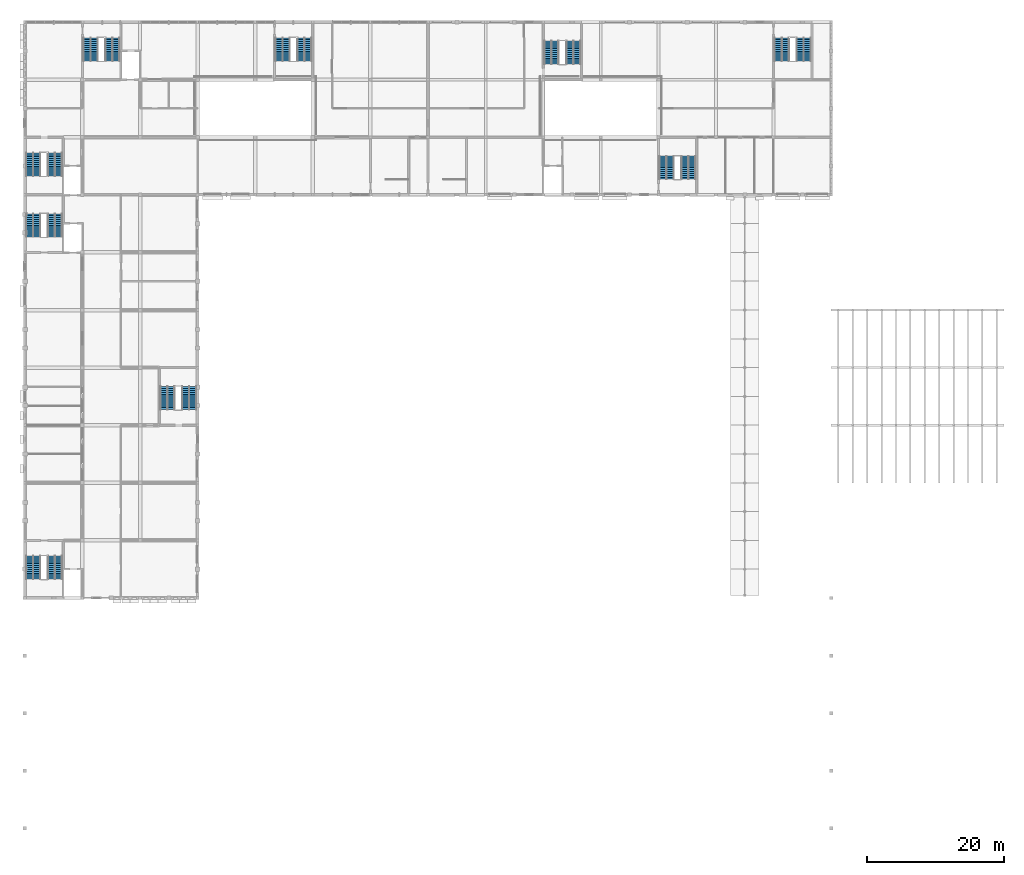
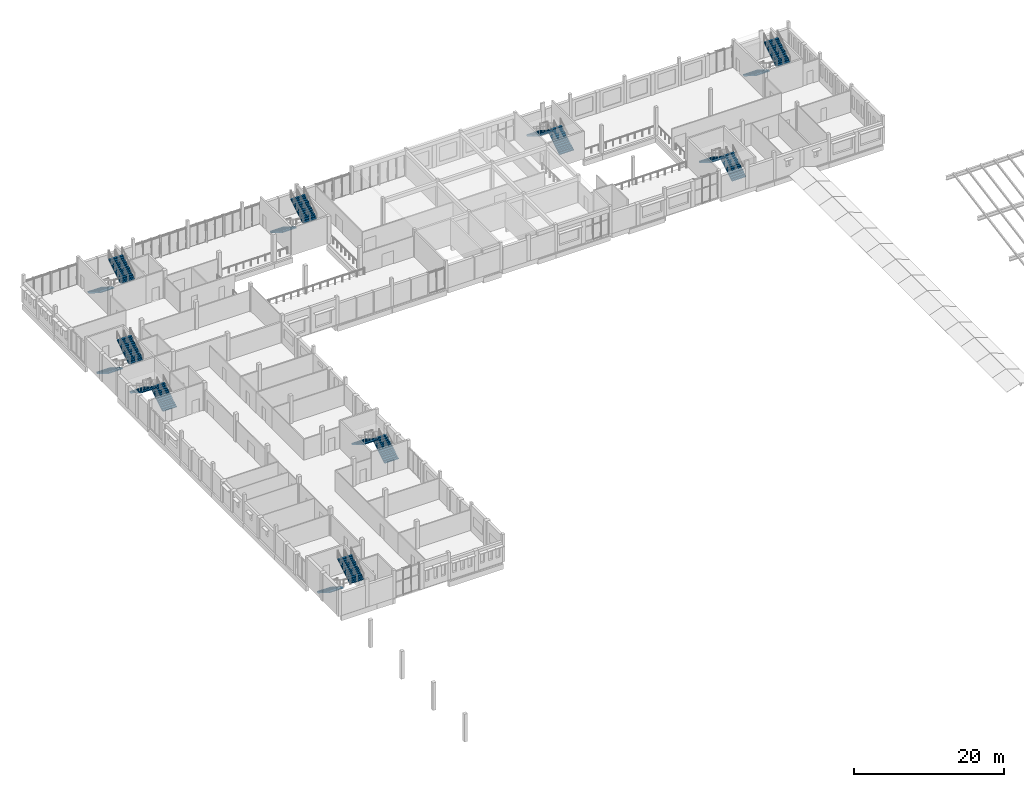
# One storey, part 32 of 38: 18 stair flights, 9 elements without a shape of their own.
"""IFC4 building model written with IfcOpenShell, lengths in metres."""

from ifc_helpers import new_model, si_unit, direction, frame, origin, place, context, subcontext, project, spatial, polyline, outline, extrude, material, type_object, element, aggregate, save


model = new_model("IFC4")

# Units and contexts
model_context = context("Model", 3, precision=1e-05, world=origin(), true_north=direction((0.0, 1.0)))
body_context = subcontext(model_context, "Body", "Model", "MODEL_VIEW")
ifc_project = project(units=[si_unit("LENGTHUNIT", "METRE"), si_unit("AREAUNIT", "SQUARE_METRE"), si_unit("VOLUMEUNIT", "CUBIC_METRE"), si_unit("PLANEANGLEUNIT", "RADIAN"), si_unit("MASSUNIT", "GRAM", prefix="KILO")], contexts=[model_context])

# Site, building, storey
site_placement = place(None, origin())
site = spatial("IfcSite", under=ifc_project, at=site_placement, CompositionType="ELEMENT")
building_placement = place(site_placement, origin())
building = spatial("IfcBuilding", under=site, at=building_placement, Name="Fescue Hill Polytechnic", CompositionType="ELEMENT")
storey_placement = place(building_placement, frame((0.0, 0.0, 18.0)))
storey = spatial("IfcBuildingStorey", under=building, at=storey_placement, Name="L04", CompositionType="ELEMENT", Elevation=18.0)

# Stair, stair flights
ifc_material = material(Name="Concrete 35 MPa", Category="concrete")
stair_type = type_object("IfcStairType", Name="Half-turn stair 2150 flights", PredefinedType="HALF_TURN_STAIR", material=ifc_material)
stair_1_placement = place(storey_placement, origin())
stair_1 = element("IfcStair", 1, at=stair_1_placement, inside=storey, type_object=stair_type, Name="L04 ST-V4-1 stair", PredefinedType="HALF_TURN_STAIR")
stair_flight_type = type_object("IfcStairFlightType", Name="Stair flight 2150 wide", PredefinedType="STRAIGHT", material=ifc_material)
stair_flight_1_placement = place(storey_placement, frame((1.22509765625, 56.52490234375, 0.0), z_axis=(0.0, 0.0, 1.0), x_axis=(0.0, -1.0, 0.0)))
stair_flight_1 = element("IfcStairFlight", 2, at=stair_flight_1_placement, type_object=stair_flight_type, Name="S15 flight 1", NumberOfRisers=13, NumberOfTreads=12, PredefinedType="STRAIGHT", RiserHeight=0.173076923, TreadLength=0.28, context=body_context, shape_type="SweptSolid", body=[
    extrude(outline(polyline([(0.0, 0.0), (0.0, 0.173095703125), (0.280029296875, 0.173095703125), (0.280029296875, 0.34619140625), (0.56005859375, 0.34619140625), (0.56005859375, 0.519287109375), (0.840087890625, 0.519287109375), (0.840087890625, 0.6923828125), (1.1201171875, 0.6923828125), (1.1201171875, 0.865478515625), (1.39990234375, 0.865478515625), (1.39990234375, 1.03857421875), (1.679931640625, 1.03857421875), (1.679931640625, 1.21142578125), (1.9599609375, 1.21142578125), (1.9599609375, 1.384521484375), (2.239990234375, 1.384521484375), (2.239990234375, 1.5576171875), (2.52001953125, 1.5576171875), (2.52001953125, 1.730712890625), (2.800048828125, 1.730712890625), (2.800048828125, 1.90380859375), (3.080078125, 1.90380859375), (3.080078125, 2.076904296875), (3.360107421875, 2.076904296875), (3.360107421875, 2.25), (3.360107421875, 1.900634765625), (0.28515625, 0.0), (0.0, 0.0)])), frame((0.0, 1.074951171875, 0.0), z_axis=(0.0, -1.0, 0.0), x_axis=(1.0, 0.0, 0.0)), (0.0, 0.0, 1.0), 2.14990234375),
])
stair_flight_2_placement = place(storey_placement, frame((4.39990234375, 53.1650390625, 2.25), z_axis=(0.0, 0.0, 1.0), x_axis=(0.0, 1.0, 0.0)))
stair_flight_2 = element("IfcStairFlight", 3, at=stair_flight_2_placement, type_object=stair_flight_type, Name="S15 flight 2", NumberOfRisers=13, NumberOfTreads=12, PredefinedType="STRAIGHT", RiserHeight=0.173076923, TreadLength=0.28, context=body_context, shape_type="SweptSolid", body=[
    extrude(outline(polyline([(0.0, 0.0), (0.0, 0.173095703125), (0.280029296875, 0.173095703125), (0.280029296875, 0.34619140625), (0.56005859375, 0.34619140625), (0.56005859375, 0.519287109375), (0.840087890625, 0.519287109375), (0.840087890625, 0.6923828125), (1.1201171875, 0.6923828125), (1.1201171875, 0.865478515625), (1.39990234375, 0.865478515625), (1.39990234375, 1.03857421875), (1.679931640625, 1.03857421875), (1.679931640625, 1.21142578125), (1.9599609375, 1.21142578125), (1.9599609375, 1.384521484375), (2.239990234375, 1.384521484375), (2.239990234375, 1.5576171875), (2.52001953125, 1.5576171875), (2.52001953125, 1.730712890625), (2.800048828125, 1.730712890625), (2.800048828125, 1.90380859375), (3.080078125, 1.90380859375), (3.080078125, 2.076904296875), (3.360107421875, 2.076904296875), (3.360107421875, 2.25), (3.360107421875, 1.900634765625), (0.28515625, 0.0), (0.0, 0.0)])), frame((0.0, 1.074951171875, 0.0), z_axis=(0.0, -1.0, 0.0), x_axis=(1.0, 0.0, 0.0)), (0.0, 0.0, 1.0), 2.14990234375),
])
aggregate(stair_1, [stair_flight_1, stair_flight_2])

stair_2_placement = place(storey_placement, origin())
stair_2 = element("IfcStair", 4, at=stair_2_placement, inside=storey, type_object=stair_type, Name="L04 ST-V4-2 stair", PredefinedType="HALF_TURN_STAIR")
stair_flight_3_placement = place(storey_placement, frame((4.39990234375, 103.074951171875, 0.0), z_axis=(0.0, 0.0, 1.0), x_axis=(0.0, 1.0, 0.0)))
stair_flight_3 = element("IfcStairFlight", 5, at=stair_flight_3_placement, type_object=stair_flight_type, Name="S16 flight 1", NumberOfRisers=13, NumberOfTreads=12, PredefinedType="STRAIGHT", RiserHeight=0.173076923, TreadLength=0.28, context=body_context, shape_type="SweptSolid", body=[
    extrude(outline(polyline([(0.0, 0.0), (0.0, 0.173095703125), (0.280029296875, 0.173095703125), (0.280029296875, 0.34619140625), (0.56005859375, 0.34619140625), (0.56005859375, 0.519287109375), (0.840087890625, 0.519287109375), (0.840087890625, 0.6923828125), (1.1201171875, 0.6923828125), (1.1201171875, 0.865478515625), (1.39990234375, 0.865478515625), (1.39990234375, 1.03857421875), (1.679931640625, 1.03857421875), (1.679931640625, 1.21142578125), (1.9599609375, 1.21142578125), (1.9599609375, 1.384521484375), (2.239990234375, 1.384521484375), (2.239990234375, 1.5576171875), (2.52001953125, 1.5576171875), (2.52001953125, 1.730712890625), (2.800048828125, 1.730712890625), (2.800048828125, 1.90380859375), (3.080078125, 1.90380859375), (3.080078125, 2.076904296875), (3.360107421875, 2.076904296875), (3.360107421875, 2.25), (3.360107421875, 1.900634765625), (0.28515625, 0.0), (0.0, 0.0)])), frame((0.0, 1.074951171875, 0.0), z_axis=(0.0, -1.0, 0.0), x_axis=(1.0, 0.0, 0.0)), (0.0, 0.0, 1.0), 2.14990234375),
])
stair_flight_4_placement = place(storey_placement, frame((1.22509765625, 106.43505859375, 2.25), z_axis=(0.0, 0.0, 1.0), x_axis=(0.0, -1.0, 0.0)))
stair_flight_4 = element("IfcStairFlight", 6, at=stair_flight_4_placement, type_object=stair_flight_type, Name="S16 flight 2", NumberOfRisers=13, NumberOfTreads=12, PredefinedType="STRAIGHT", RiserHeight=0.173076923, TreadLength=0.28, context=body_context, shape_type="SweptSolid", body=[
    extrude(outline(polyline([(0.0, 0.0), (0.0, 0.173095703125), (0.280029296875, 0.173095703125), (0.280029296875, 0.34619140625), (0.56005859375, 0.34619140625), (0.56005859375, 0.519287109375), (0.840087890625, 0.519287109375), (0.840087890625, 0.6923828125), (1.1201171875, 0.6923828125), (1.1201171875, 0.865478515625), (1.39990234375, 0.865478515625), (1.39990234375, 1.03857421875), (1.679931640625, 1.03857421875), (1.679931640625, 1.21142578125), (1.9599609375, 1.21142578125), (1.9599609375, 1.384521484375), (2.239990234375, 1.384521484375), (2.239990234375, 1.5576171875), (2.52001953125, 1.5576171875), (2.52001953125, 1.730712890625), (2.800048828125, 1.730712890625), (2.800048828125, 1.90380859375), (3.080078125, 1.90380859375), (3.080078125, 2.076904296875), (3.360107421875, 2.076904296875), (3.360107421875, 2.25), (3.360107421875, 1.900634765625), (0.28515625, 0.0), (0.0, 0.0)])), frame((0.0, 1.074951171875, 0.0), z_axis=(0.0, -1.0, 0.0), x_axis=(1.0, 0.0, 0.0)), (0.0, 0.0, 1.0), 2.14990234375),
])
aggregate(stair_2, [stair_flight_3, stair_flight_4])

stair_3_placement = place(storey_placement, origin())
stair_3 = element("IfcStair", 7, at=stair_3_placement, inside=storey, type_object=stair_type, Name="L04 ST-V4-3 stair", PredefinedType="HALF_TURN_STAIR")
stair_flight_5_placement = place(storey_placement, frame((23.97509765625, 77.875, 0.0), z_axis=(0.0, 0.0, 1.0), x_axis=(0.0, 1.0, 0.0)))
stair_flight_5 = element("IfcStairFlight", 8, at=stair_flight_5_placement, type_object=stair_flight_type, Name="S17 flight 1", NumberOfRisers=13, NumberOfTreads=12, PredefinedType="STRAIGHT", RiserHeight=0.173076923, TreadLength=0.28, context=body_context, shape_type="SweptSolid", body=[
    extrude(outline(polyline([(0.0, 0.0), (0.0, 0.173095703125), (0.280029296875, 0.173095703125), (0.280029296875, 0.34619140625), (0.56005859375, 0.34619140625), (0.56005859375, 0.519287109375), (0.840087890625, 0.519287109375), (0.840087890625, 0.6923828125), (1.1201171875, 0.6923828125), (1.1201171875, 0.865478515625), (1.39990234375, 0.865478515625), (1.39990234375, 1.03857421875), (1.679931640625, 1.03857421875), (1.679931640625, 1.21142578125), (1.9599609375, 1.21142578125), (1.9599609375, 1.384521484375), (2.239990234375, 1.384521484375), (2.239990234375, 1.5576171875), (2.52001953125, 1.5576171875), (2.52001953125, 1.730712890625), (2.800048828125, 1.730712890625), (2.800048828125, 1.90380859375), (3.080078125, 1.90380859375), (3.080078125, 2.076904296875), (3.360107421875, 2.076904296875), (3.360107421875, 2.25), (3.360107421875, 1.900634765625), (0.28515625, 0.0), (0.0, 0.0)])), frame((0.0, 1.074951171875, 0.0), z_axis=(0.0, -1.0, 0.0), x_axis=(1.0, 0.0, 0.0)), (0.0, 0.0, 1.0), 2.14990234375),
])
stair_flight_6_placement = place(storey_placement, frame((20.800048828125, 81.235107421875, 2.25), z_axis=(0.0, 0.0, 1.0), x_axis=(0.0, -1.0, 0.0)))
stair_flight_6 = element("IfcStairFlight", 9, at=stair_flight_6_placement, type_object=stair_flight_type, Name="S17 flight 2", NumberOfRisers=13, NumberOfTreads=12, PredefinedType="STRAIGHT", RiserHeight=0.173076923, TreadLength=0.28, context=body_context, shape_type="SweptSolid", body=[
    extrude(outline(polyline([(0.0, 0.0), (0.0, 0.173095703125), (0.280029296875, 0.173095703125), (0.280029296875, 0.34619140625), (0.56005859375, 0.34619140625), (0.56005859375, 0.519287109375), (0.840087890625, 0.519287109375), (0.840087890625, 0.6923828125), (1.1201171875, 0.6923828125), (1.1201171875, 0.865478515625), (1.39990234375, 0.865478515625), (1.39990234375, 1.03857421875), (1.679931640625, 1.03857421875), (1.679931640625, 1.21142578125), (1.9599609375, 1.21142578125), (1.9599609375, 1.384521484375), (2.239990234375, 1.384521484375), (2.239990234375, 1.5576171875), (2.52001953125, 1.5576171875), (2.52001953125, 1.730712890625), (2.800048828125, 1.730712890625), (2.800048828125, 1.90380859375), (3.080078125, 1.90380859375), (3.080078125, 2.076904296875), (3.360107421875, 2.076904296875), (3.360107421875, 2.25), (3.360107421875, 1.900634765625), (0.28515625, 0.0), (0.0, 0.0)])), frame((0.0, 1.074951171875, 0.0), z_axis=(0.0, -1.0, 0.0), x_axis=(1.0, 0.0, 0.0)), (0.0, 0.0, 1.0), 2.14990234375),
])
aggregate(stair_3, [stair_flight_5, stair_flight_6])

stair_4_placement = place(storey_placement, origin())
stair_4 = element("IfcStair", 10, at=stair_4_placement, inside=storey, type_object=stair_type, Name="L04 ST-V5-1 stair", PredefinedType="HALF_TURN_STAIR")
stair_flight_7_placement = place(storey_placement, frame((1.22509765625, 115.324951171875, 0.0), z_axis=(0.0, 0.0, 1.0), x_axis=(0.0, -1.0, 0.0)))
stair_flight_7 = element("IfcStairFlight", 11, at=stair_flight_7_placement, type_object=stair_flight_type, Name="S18 flight 1", NumberOfRisers=13, NumberOfTreads=12, PredefinedType="STRAIGHT", RiserHeight=0.173076923, TreadLength=0.28, context=body_context, shape_type="SweptSolid", body=[
    extrude(outline(polyline([(0.0, 0.0), (0.0, 0.173095703125), (0.280029296875, 0.173095703125), (0.280029296875, 0.34619140625), (0.56005859375, 0.34619140625), (0.56005859375, 0.519287109375), (0.840087890625, 0.519287109375), (0.840087890625, 0.6923828125), (1.1201171875, 0.6923828125), (1.1201171875, 0.865478515625), (1.39990234375, 0.865478515625), (1.39990234375, 1.03857421875), (1.679931640625, 1.03857421875), (1.679931640625, 1.21142578125), (1.9599609375, 1.21142578125), (1.9599609375, 1.384521484375), (2.239990234375, 1.384521484375), (2.239990234375, 1.5576171875), (2.52001953125, 1.5576171875), (2.52001953125, 1.730712890625), (2.800048828125, 1.730712890625), (2.800048828125, 1.90380859375), (3.080078125, 1.90380859375), (3.080078125, 2.076904296875), (3.360107421875, 2.076904296875), (3.360107421875, 2.25), (3.360107421875, 1.900634765625), (0.28515625, 0.0), (0.0, 0.0)])), frame((0.0, 1.074951171875, 0.0), z_axis=(0.0, -1.0, 0.0), x_axis=(1.0, 0.0, 0.0)), (0.0, 0.0, 1.0), 2.14990234375),
])
stair_flight_8_placement = place(storey_placement, frame((4.39990234375, 111.965087890625, 2.25), z_axis=(0.0, 0.0, 1.0), x_axis=(0.0, 1.0, 0.0)))
stair_flight_8 = element("IfcStairFlight", 12, at=stair_flight_8_placement, type_object=stair_flight_type, Name="S18 flight 2", NumberOfRisers=13, NumberOfTreads=12, PredefinedType="STRAIGHT", RiserHeight=0.173076923, TreadLength=0.28, context=body_context, shape_type="SweptSolid", body=[
    extrude(outline(polyline([(0.0, 0.0), (0.0, 0.173095703125), (0.280029296875, 0.173095703125), (0.280029296875, 0.34619140625), (0.56005859375, 0.34619140625), (0.56005859375, 0.519287109375), (0.840087890625, 0.519287109375), (0.840087890625, 0.6923828125), (1.1201171875, 0.6923828125), (1.1201171875, 0.865478515625), (1.39990234375, 0.865478515625), (1.39990234375, 1.03857421875), (1.679931640625, 1.03857421875), (1.679931640625, 1.21142578125), (1.9599609375, 1.21142578125), (1.9599609375, 1.384521484375), (2.239990234375, 1.384521484375), (2.239990234375, 1.5576171875), (2.52001953125, 1.5576171875), (2.52001953125, 1.730712890625), (2.800048828125, 1.730712890625), (2.800048828125, 1.90380859375), (3.080078125, 1.90380859375), (3.080078125, 2.076904296875), (3.360107421875, 2.076904296875), (3.360107421875, 2.25), (3.360107421875, 1.900634765625), (0.28515625, 0.0), (0.0, 0.0)])), frame((0.0, 1.074951171875, 0.0), z_axis=(0.0, -1.0, 0.0), x_axis=(1.0, 0.0, 0.0)), (0.0, 0.0, 1.0), 2.14990234375),
])
aggregate(stair_4, [stair_flight_7, stair_flight_8])

stair_5_placement = place(storey_placement, origin())
stair_5 = element("IfcStair", 13, at=stair_5_placement, inside=storey, type_object=stair_type, Name="L04 ST-V5-2 stair", PredefinedType="HALF_TURN_STAIR")
stair_flight_9_placement = place(storey_placement, frame((37.60009765625, 132.10009765625, 0.0), z_axis=(0.0, 0.0, 1.0), x_axis=(0.0, -1.0, 0.0)))
stair_flight_9 = element("IfcStairFlight", 14, at=stair_flight_9_placement, type_object=stair_flight_type, Name="S19 flight 1", NumberOfRisers=13, NumberOfTreads=12, PredefinedType="STRAIGHT", RiserHeight=0.173076923, TreadLength=0.28, context=body_context, shape_type="SweptSolid", body=[
    extrude(outline(polyline([(0.0, 0.0), (0.0, 0.173095703125), (0.280029296875, 0.173095703125), (0.280029296875, 0.34619140625), (0.56005859375, 0.34619140625), (0.56005859375, 0.519287109375), (0.840087890625, 0.519287109375), (0.840087890625, 0.6923828125), (1.1201171875, 0.6923828125), (1.1201171875, 0.865478515625), (1.39990234375, 0.865478515625), (1.39990234375, 1.03857421875), (1.679931640625, 1.03857421875), (1.679931640625, 1.21142578125), (1.9599609375, 1.21142578125), (1.9599609375, 1.384521484375), (2.239990234375, 1.384521484375), (2.239990234375, 1.5576171875), (2.52001953125, 1.5576171875), (2.52001953125, 1.730712890625), (2.800048828125, 1.730712890625), (2.800048828125, 1.90380859375), (3.080078125, 1.90380859375), (3.080078125, 2.076904296875), (3.360107421875, 2.076904296875), (3.360107421875, 2.25), (3.360107421875, 1.900634765625), (0.28515625, 0.0), (0.0, 0.0)])), frame((0.0, 1.074951171875, 0.0), z_axis=(0.0, -1.0, 0.0), x_axis=(1.0, 0.0, 0.0)), (0.0, 0.0, 1.0), 2.14990234375),
])
stair_flight_10_placement = place(storey_placement, frame((40.800048828125, 128.739990234375, 2.25), z_axis=(0.0, 0.0, 1.0), x_axis=(0.0, 1.0, 0.0)))
stair_flight_10 = element("IfcStairFlight", 15, at=stair_flight_10_placement, type_object=stair_flight_type, Name="S19 flight 2", NumberOfRisers=13, NumberOfTreads=12, PredefinedType="STRAIGHT", RiserHeight=0.173076923, TreadLength=0.28, context=body_context, shape_type="SweptSolid", body=[
    extrude(outline(polyline([(0.0, 0.0), (0.0, 0.173095703125), (0.280029296875, 0.173095703125), (0.280029296875, 0.34619140625), (0.56005859375, 0.34619140625), (0.56005859375, 0.519287109375), (0.840087890625, 0.519287109375), (0.840087890625, 0.6923828125), (1.1201171875, 0.6923828125), (1.1201171875, 0.865478515625), (1.39990234375, 0.865478515625), (1.39990234375, 1.03857421875), (1.679931640625, 1.03857421875), (1.679931640625, 1.21142578125), (1.9599609375, 1.21142578125), (1.9599609375, 1.384521484375), (2.239990234375, 1.384521484375), (2.239990234375, 1.5576171875), (2.52001953125, 1.5576171875), (2.52001953125, 1.730712890625), (2.800048828125, 1.730712890625), (2.800048828125, 1.90380859375), (3.080078125, 1.90380859375), (3.080078125, 2.076904296875), (3.360107421875, 2.076904296875), (3.360107421875, 2.25), (3.360107421875, 1.900634765625), (0.28515625, 0.0), (0.0, 0.0)])), frame((0.0, 1.074951171875, 0.0), z_axis=(0.0, -1.0, 0.0), x_axis=(1.0, 0.0, 0.0)), (0.0, 0.0, 1.0), 2.14990234375),
])
aggregate(stair_5, [stair_flight_9, stair_flight_10])

stair_6_placement = place(storey_placement, origin())
stair_6 = element("IfcStair", 16, at=stair_6_placement, inside=storey, type_object=stair_type, Name="L04 ST-V5-3 stair", PredefinedType="HALF_TURN_STAIR")
stair_flight_11_placement = place(storey_placement, frame((9.60009765625, 132.10009765625, 0.0), z_axis=(0.0, 0.0, 1.0), x_axis=(0.0, -1.0, 0.0)))
stair_flight_11 = element("IfcStairFlight", 17, at=stair_flight_11_placement, type_object=stair_flight_type, Name="S20 flight 1", NumberOfRisers=13, NumberOfTreads=12, PredefinedType="STRAIGHT", RiserHeight=0.173076923, TreadLength=0.28, context=body_context, shape_type="SweptSolid", body=[
    extrude(outline(polyline([(0.0, 0.0), (0.0, 0.173095703125), (0.280029296875, 0.173095703125), (0.280029296875, 0.34619140625), (0.56005859375, 0.34619140625), (0.56005859375, 0.519287109375), (0.840087890625, 0.519287109375), (0.840087890625, 0.6923828125), (1.1201171875, 0.6923828125), (1.1201171875, 0.865478515625), (1.39990234375, 0.865478515625), (1.39990234375, 1.03857421875), (1.679931640625, 1.03857421875), (1.679931640625, 1.21142578125), (1.9599609375, 1.21142578125), (1.9599609375, 1.384521484375), (2.239990234375, 1.384521484375), (2.239990234375, 1.5576171875), (2.52001953125, 1.5576171875), (2.52001953125, 1.730712890625), (2.800048828125, 1.730712890625), (2.800048828125, 1.90380859375), (3.080078125, 1.90380859375), (3.080078125, 2.076904296875), (3.360107421875, 2.076904296875), (3.360107421875, 2.25), (3.360107421875, 1.900634765625), (0.28515625, 0.0), (0.0, 0.0)])), frame((0.0, 1.074951171875, 0.0), z_axis=(0.0, -1.0, 0.0), x_axis=(1.0, 0.0, 0.0)), (0.0, 0.0, 1.0), 2.14990234375),
])
stair_flight_12_placement = place(storey_placement, frame((12.800048828125, 128.739990234375, 2.25), z_axis=(0.0, 0.0, 1.0), x_axis=(0.0, 1.0, 0.0)))
stair_flight_12 = element("IfcStairFlight", 18, at=stair_flight_12_placement, type_object=stair_flight_type, Name="S20 flight 2", NumberOfRisers=13, NumberOfTreads=12, PredefinedType="STRAIGHT", RiserHeight=0.173076923, TreadLength=0.28, context=body_context, shape_type="SweptSolid", body=[
    extrude(outline(polyline([(0.0, 0.0), (0.0, 0.173095703125), (0.280029296875, 0.173095703125), (0.280029296875, 0.34619140625), (0.56005859375, 0.34619140625), (0.56005859375, 0.519287109375), (0.840087890625, 0.519287109375), (0.840087890625, 0.6923828125), (1.1201171875, 0.6923828125), (1.1201171875, 0.865478515625), (1.39990234375, 0.865478515625), (1.39990234375, 1.03857421875), (1.679931640625, 1.03857421875), (1.679931640625, 1.21142578125), (1.9599609375, 1.21142578125), (1.9599609375, 1.384521484375), (2.239990234375, 1.384521484375), (2.239990234375, 1.5576171875), (2.52001953125, 1.5576171875), (2.52001953125, 1.730712890625), (2.800048828125, 1.730712890625), (2.800048828125, 1.90380859375), (3.080078125, 1.90380859375), (3.080078125, 2.076904296875), (3.360107421875, 2.076904296875), (3.360107421875, 2.25), (3.360107421875, 1.900634765625), (0.28515625, 0.0), (0.0, 0.0)])), frame((0.0, 1.074951171875, 0.0), z_axis=(0.0, -1.0, 0.0), x_axis=(1.0, 0.0, 0.0)), (0.0, 0.0, 1.0), 2.14990234375),
])
aggregate(stair_6, [stair_flight_11, stair_flight_12])

stair_7_placement = place(storey_placement, origin())
stair_7 = element("IfcStair", 19, at=stair_7_placement, inside=storey, type_object=stair_type, Name="L04 ST-V4b-2 stair", PredefinedType="HALF_TURN_STAIR")
stair_flight_13_placement = place(storey_placement, frame((110.39990234375, 132.10009765625, 0.0), z_axis=(0.0, 0.0, 1.0), x_axis=(0.0, -1.0, 0.0)))
stair_flight_13 = element("IfcStairFlight", 20, at=stair_flight_13_placement, type_object=stair_flight_type, Name="S23 flight 1", NumberOfRisers=13, NumberOfTreads=12, PredefinedType="STRAIGHT", RiserHeight=0.173076923, TreadLength=0.28, context=body_context, shape_type="SweptSolid", body=[
    extrude(outline(polyline([(0.0, 0.0), (0.0, 0.173095703125), (0.280029296875, 0.173095703125), (0.280029296875, 0.34619140625), (0.56005859375, 0.34619140625), (0.56005859375, 0.519287109375), (0.840087890625, 0.519287109375), (0.840087890625, 0.6923828125), (1.1201171875, 0.6923828125), (1.1201171875, 0.865478515625), (1.39990234375, 0.865478515625), (1.39990234375, 1.03857421875), (1.679931640625, 1.03857421875), (1.679931640625, 1.21142578125), (1.9599609375, 1.21142578125), (1.9599609375, 1.384521484375), (2.239990234375, 1.384521484375), (2.239990234375, 1.5576171875), (2.52001953125, 1.5576171875), (2.52001953125, 1.730712890625), (2.800048828125, 1.730712890625), (2.800048828125, 1.90380859375), (3.080078125, 1.90380859375), (3.080078125, 2.076904296875), (3.360107421875, 2.076904296875), (3.360107421875, 2.25), (3.360107421875, 1.900634765625), (0.28515625, 0.0), (0.0, 0.0)])), frame((0.0, 1.074951171875, 0.0), z_axis=(0.0, -1.0, 0.0), x_axis=(1.0, 0.0, 0.0)), (0.0, 0.0, 1.0), 2.14990234375),
])
stair_flight_14_placement = place(storey_placement, frame((113.60009765625, 128.739990234375, 2.25), z_axis=(0.0, 0.0, 1.0), x_axis=(0.0, 1.0, 0.0)))
stair_flight_14 = element("IfcStairFlight", 21, at=stair_flight_14_placement, type_object=stair_flight_type, Name="S23 flight 2", NumberOfRisers=13, NumberOfTreads=12, PredefinedType="STRAIGHT", RiserHeight=0.173076923, TreadLength=0.28, context=body_context, shape_type="SweptSolid", body=[
    extrude(outline(polyline([(0.0, 0.0), (0.0, 0.173095703125), (0.280029296875, 0.173095703125), (0.280029296875, 0.34619140625), (0.56005859375, 0.34619140625), (0.56005859375, 0.519287109375), (0.840087890625, 0.519287109375), (0.840087890625, 0.6923828125), (1.1201171875, 0.6923828125), (1.1201171875, 0.865478515625), (1.39990234375, 0.865478515625), (1.39990234375, 1.03857421875), (1.679931640625, 1.03857421875), (1.679931640625, 1.21142578125), (1.9599609375, 1.21142578125), (1.9599609375, 1.384521484375), (2.239990234375, 1.384521484375), (2.239990234375, 1.5576171875), (2.52001953125, 1.5576171875), (2.52001953125, 1.730712890625), (2.800048828125, 1.730712890625), (2.800048828125, 1.90380859375), (3.080078125, 1.90380859375), (3.080078125, 2.076904296875), (3.360107421875, 2.076904296875), (3.360107421875, 2.25), (3.360107421875, 1.900634765625), (0.28515625, 0.0), (0.0, 0.0)])), frame((0.0, 1.074951171875, 0.0), z_axis=(0.0, -1.0, 0.0), x_axis=(1.0, 0.0, 0.0)), (0.0, 0.0, 1.0), 2.14990234375),
])
aggregate(stair_7, [stair_flight_13, stair_flight_14])

stair_8_placement = place(storey_placement, origin())
stair_8 = element("IfcStair", 22, at=stair_8_placement, inside=storey, type_object=stair_type, Name="L04 ST-V4b-3 stair", PredefinedType="HALF_TURN_STAIR")
stair_flight_15_placement = place(storey_placement, frame((96.800048828125, 111.47509765625, 0.0), z_axis=(0.0, 0.0, 1.0), x_axis=(0.0, 1.0, 0.0)))
stair_flight_15 = element("IfcStairFlight", 23, at=stair_flight_15_placement, type_object=stair_flight_type, Name="S24 flight 1", NumberOfRisers=13, NumberOfTreads=12, PredefinedType="STRAIGHT", RiserHeight=0.173076923, TreadLength=0.28, context=body_context, shape_type="SweptSolid", body=[
    extrude(outline(polyline([(0.0, 0.0), (0.0, 0.173095703125), (0.280029296875, 0.173095703125), (0.280029296875, 0.34619140625), (0.56005859375, 0.34619140625), (0.56005859375, 0.519287109375), (0.840087890625, 0.519287109375), (0.840087890625, 0.6923828125), (1.1201171875, 0.6923828125), (1.1201171875, 0.865478515625), (1.39990234375, 0.865478515625), (1.39990234375, 1.03857421875), (1.679931640625, 1.03857421875), (1.679931640625, 1.21142578125), (1.9599609375, 1.21142578125), (1.9599609375, 1.384521484375), (2.239990234375, 1.384521484375), (2.239990234375, 1.5576171875), (2.52001953125, 1.5576171875), (2.52001953125, 1.730712890625), (2.800048828125, 1.730712890625), (2.800048828125, 1.90380859375), (3.080078125, 1.90380859375), (3.080078125, 2.076904296875), (3.360107421875, 2.076904296875), (3.360107421875, 2.25), (3.360107421875, 1.900634765625), (0.28515625, 0.0), (0.0, 0.0)])), frame((0.0, 1.074951171875, 0.0), z_axis=(0.0, -1.0, 0.0), x_axis=(1.0, 0.0, 0.0)), (0.0, 0.0, 1.0), 2.14990234375),
])
stair_flight_16_placement = place(storey_placement, frame((93.60009765625, 114.8349609375, 2.25), z_axis=(0.0, 0.0, 1.0), x_axis=(0.0, -1.0, 0.0)))
stair_flight_16 = element("IfcStairFlight", 24, at=stair_flight_16_placement, type_object=stair_flight_type, Name="S24 flight 2", NumberOfRisers=13, NumberOfTreads=12, PredefinedType="STRAIGHT", RiserHeight=0.173076923, TreadLength=0.28, context=body_context, shape_type="SweptSolid", body=[
    extrude(outline(polyline([(0.0, 0.0), (0.0, 0.173095703125), (0.280029296875, 0.173095703125), (0.280029296875, 0.34619140625), (0.56005859375, 0.34619140625), (0.56005859375, 0.519287109375), (0.840087890625, 0.519287109375), (0.840087890625, 0.6923828125), (1.1201171875, 0.6923828125), (1.1201171875, 0.865478515625), (1.39990234375, 0.865478515625), (1.39990234375, 1.03857421875), (1.679931640625, 1.03857421875), (1.679931640625, 1.21142578125), (1.9599609375, 1.21142578125), (1.9599609375, 1.384521484375), (2.239990234375, 1.384521484375), (2.239990234375, 1.5576171875), (2.52001953125, 1.5576171875), (2.52001953125, 1.730712890625), (2.800048828125, 1.730712890625), (2.800048828125, 1.90380859375), (3.080078125, 1.90380859375), (3.080078125, 2.076904296875), (3.360107421875, 2.076904296875), (3.360107421875, 2.25), (3.360107421875, 1.900634765625), (0.28515625, 0.0), (0.0, 0.0)])), frame((0.0, 1.074951171875, 0.0), z_axis=(0.0, -1.0, 0.0), x_axis=(1.0, 0.0, 0.0)), (0.0, 0.0, 1.0), 2.14990234375),
])
aggregate(stair_8, [stair_flight_15, stair_flight_16])

stair_9_placement = place(storey_placement, origin())
stair_9 = element("IfcStair", 25, at=stair_9_placement, inside=storey, type_object=stair_type, Name="L04 ST-V4b-4 stair", PredefinedType="HALF_TURN_STAIR")
stair_flight_17_placement = place(storey_placement, frame((80.0, 128.27490234375, 0.0), z_axis=(0.0, 0.0, 1.0), x_axis=(0.0, 1.0, 0.0)))
stair_flight_17 = element("IfcStairFlight", 26, at=stair_flight_17_placement, type_object=stair_flight_type, Name="S25 flight 1", NumberOfRisers=13, NumberOfTreads=12, PredefinedType="STRAIGHT", RiserHeight=0.173076923, TreadLength=0.28, context=body_context, shape_type="SweptSolid", body=[
    extrude(outline(polyline([(0.0, 0.0), (0.0, 0.173095703125), (0.280029296875, 0.173095703125), (0.280029296875, 0.34619140625), (0.56005859375, 0.34619140625), (0.56005859375, 0.519287109375), (0.840087890625, 0.519287109375), (0.840087890625, 0.6923828125), (1.1201171875, 0.6923828125), (1.1201171875, 0.865478515625), (1.39990234375, 0.865478515625), (1.39990234375, 1.03857421875), (1.679931640625, 1.03857421875), (1.679931640625, 1.21142578125), (1.9599609375, 1.21142578125), (1.9599609375, 1.384521484375), (2.239990234375, 1.384521484375), (2.239990234375, 1.5576171875), (2.52001953125, 1.5576171875), (2.52001953125, 1.730712890625), (2.800048828125, 1.730712890625), (2.800048828125, 1.90380859375), (3.080078125, 1.90380859375), (3.080078125, 2.076904296875), (3.360107421875, 2.076904296875), (3.360107421875, 2.25), (3.360107421875, 1.900634765625), (0.28515625, 0.0), (0.0, 0.0)])), frame((0.0, 1.074951171875, 0.0), z_axis=(0.0, -1.0, 0.0), x_axis=(1.0, 0.0, 0.0)), (0.0, 0.0, 1.0), 2.14990234375),
])
stair_flight_18_placement = place(storey_placement, frame((76.800048828125, 131.635009765625, 2.25), z_axis=(0.0, 0.0, 1.0), x_axis=(0.0, -1.0, 0.0)))
stair_flight_18 = element("IfcStairFlight", 27, at=stair_flight_18_placement, type_object=stair_flight_type, Name="S25 flight 2", NumberOfRisers=13, NumberOfTreads=12, PredefinedType="STRAIGHT", RiserHeight=0.173076923, TreadLength=0.28, context=body_context, shape_type="SweptSolid", body=[
    extrude(outline(polyline([(0.0, 0.0), (0.0, 0.173095703125), (0.280029296875, 0.173095703125), (0.280029296875, 0.34619140625), (0.56005859375, 0.34619140625), (0.56005859375, 0.519287109375), (0.840087890625, 0.519287109375), (0.840087890625, 0.6923828125), (1.1201171875, 0.6923828125), (1.1201171875, 0.865478515625), (1.39990234375, 0.865478515625), (1.39990234375, 1.03857421875), (1.679931640625, 1.03857421875), (1.679931640625, 1.21142578125), (1.9599609375, 1.21142578125), (1.9599609375, 1.384521484375), (2.239990234375, 1.384521484375), (2.239990234375, 1.5576171875), (2.52001953125, 1.5576171875), (2.52001953125, 1.730712890625), (2.800048828125, 1.730712890625), (2.800048828125, 1.90380859375), (3.080078125, 1.90380859375), (3.080078125, 2.076904296875), (3.360107421875, 2.076904296875), (3.360107421875, 2.25), (3.360107421875, 1.900634765625), (0.28515625, 0.0), (0.0, 0.0)])), frame((0.0, 1.074951171875, 0.0), z_axis=(0.0, -1.0, 0.0), x_axis=(1.0, 0.0, 0.0)), (0.0, 0.0, 1.0), 2.14990234375),
])
aggregate(stair_9, [stair_flight_17, stair_flight_18])

save(model, "model.ifc")
